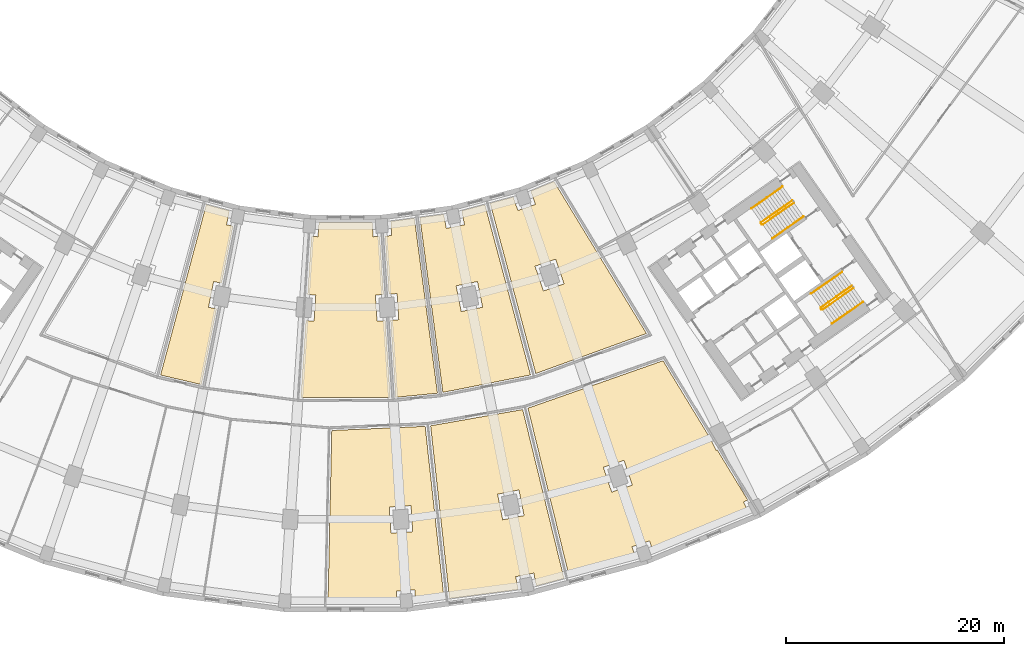
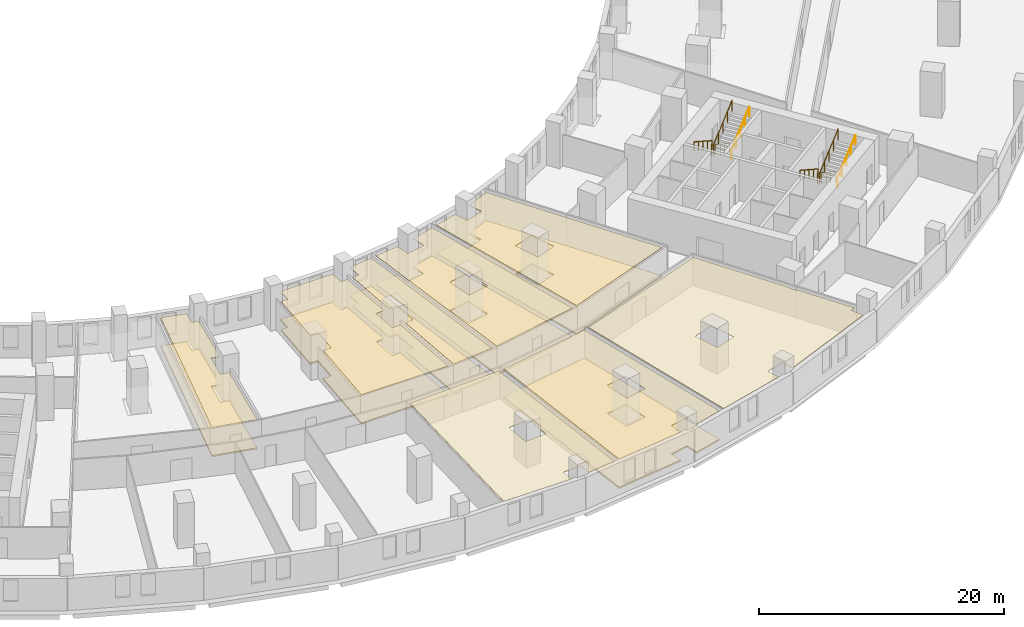
# One storey, part 18 of 20: 14 coverings, 8 railings.
"""IFC4 building model written with IfcOpenShell, lengths in metres."""

from ifc_helpers import new_model, si_unit, direction, frame, origin, origin_2d, place, context, subcontext, project, spatial, polyline, circle, outline, extrude, material, layer, layer_set, type_object, element, save


model = new_model("IFC4")

# Units and contexts
model_context = context("Model", 3, precision=1e-05, world=origin(), true_north=direction((0.0, 1.0)))
body_context = subcontext(model_context, "Body", "Model", "MODEL_VIEW")
ifc_project = project(units=[si_unit("LENGTHUNIT", "METRE"), si_unit("AREAUNIT", "SQUARE_METRE"), si_unit("VOLUMEUNIT", "CUBIC_METRE"), si_unit("PLANEANGLEUNIT", "RADIAN"), si_unit("MASSUNIT", "GRAM", prefix="KILO")], contexts=[model_context])

# Site, building, storey
site_placement = place(None, origin())
site = spatial("IfcSite", under=ifc_project, at=site_placement, CompositionType="ELEMENT")
building_placement = place(site_placement, origin())
building = spatial("IfcBuilding", under=site, at=building_placement, Name="Qamariyya Broadcast Tower", CompositionType="ELEMENT")
storey_placement = place(building_placement, frame((0.0, 0.0, 31.5)))
storey = spatial("IfcBuildingStorey", under=building, at=storey_placement, Name="L04", CompositionType="ELEMENT", Elevation=31.5)

# Coverings
ifc_material_1 = material(Name="Raised access floor")
ifc_layer_1 = layer(ifc_material_1, 0.14990234375)
ifc_layer_set_1 = layer_set([ifc_layer_1], Name="Raised access floor 150")
covering_type_1 = type_object("IfcCoveringType", Name="Raised access floor 150", PredefinedType="FLOORING", material=ifc_layer_set_1)
covering_1_placement = place(storey_placement, origin())
element("IfcCovering", 1, at=covering_1_placement, inside=storey, type_object=covering_type_1, Name="Flooring L04-F01", PredefinedType="FLOORING", context=body_context, shape_type="SweptSolid", body=[
    extrude(outline(polyline([(20.051025390625, -83.00390625), (17.512451171875, -83.684326171875), (17.27978515625, -82.514404296875), (15.612548828125, -82.845947265625), (15.84521484375, -84.015869140625), (9.541259765625, -84.845703125), (7.8056640625, -68.994384765625), (16.2587890625, -67.504150390625), (20.051025390625, -83.00390625)]), holes=[polyline([(13.953369140625, -75.274169921875), (14.421630859375, -77.628173828125), (16.383056640625, -77.23779296875), (15.9150390625, -74.884033203125), (13.953369140625, -75.274169921875)])]), origin(), (0.0, 0.0, 1.0), 0.14990234375),
])
covering_2_placement = place(storey_placement, origin())
element("IfcCovering", 2, at=covering_2_placement, inside=storey, type_object=covering_type_1, Name="Flooring L04-F03", PredefinedType="FLOORING", context=body_context, shape_type="SweptSolid", body=[
    extrude(outline(polyline([(-12.788330078125, -48.69287109375), (-10.665283203125, -49.26171875), (-10.919921875, -50.540771484375), (-10.331298828125, -50.65771484375), (-11.375, -55.905029296875), (-12.110595703125, -55.7587890625), (-12.578857421875, -58.112548828125), (-11.84326171875, -58.259033203125), (-13.226806640625, -65.21435546875), (-16.980712890625, -64.339111328125), (-12.788330078125, -48.69287109375)])), origin(), (0.0, 0.0, 1.0), 0.14990234375),
])
covering_3_placement = place(storey_placement, origin())
element("IfcCovering", 3, at=covering_3_placement, inside=storey, type_object=covering_type_1, Name="Flooring L04-F04", PredefinedType="FLOORING", context=body_context, shape_type="SweptSolid", body=[
    extrude(outline(polyline([(-3.638671875, -59.339111328125), (-2.890380859375, -59.38818359375), (-2.7333984375, -56.9931640625), (-3.481689453125, -56.944091796875), (-3.1318359375, -51.605712890625), (-2.533203125, -51.64501953125), (-2.44775390625, -50.343505859375), (2.44775390625, -50.343505859375), (2.533203125, -51.64501953125), (3.1318359375, -51.605712890625), (3.481689453125, -56.944091796875), (2.7333984375, -56.9931640625), (2.890380859375, -59.38818359375), (3.638671875, -59.339111328125), (4.10205078125, -66.406982421875), (-4.10205078125, -66.406982421875), (-3.638671875, -59.339111328125)])), origin(), (0.0, 0.0, 1.0), 0.14990234375),
])
covering_4_placement = place(storey_placement, origin())
element("IfcCovering", 4, at=covering_4_placement, inside=storey, type_object=covering_type_1, Name="Flooring L04-F05", PredefinedType="FLOORING", context=body_context, shape_type="SweptSolid", body=[
    extrude(outline(polyline([(4.1376953125, -59.306396484375), (4.885986328125, -59.25732421875), (4.72900390625, -56.862548828125), (3.980712890625, -56.91162109375), (3.630859375, -51.572998046875), (4.2294921875, -51.53369140625), (4.144287109375, -50.232177734375), (6.3232421875, -49.9453125), (8.4375, -66.005126953125), (4.6015625, -66.3828125), (4.1376953125, -59.306396484375)])), origin(), (0.0, 0.0, 1.0), 0.14990234375),
])
covering_5_placement = place(storey_placement, origin())
element("IfcCovering", 5, at=covering_5_placement, inside=storey, type_object=covering_type_1, Name="Flooring L04-F06", PredefinedType="FLOORING", context=body_context, shape_type="SweptSolid", body=[
    extrude(outline(polyline([(6.819091796875, -49.880126953125), (8.998046875, -49.59326171875), (9.25244140625, -50.872314453125), (10.919921875, -50.540771484375), (10.665283203125, -49.26171875), (12.788330078125, -48.69287109375), (16.978515625, -64.330810546875), (8.93212890625, -65.93115234375), (6.819091796875, -49.880126953125)]), holes=[polyline([(10.617431640625, -58.502685546875), (12.578857421875, -58.112548828125), (12.110595703125, -55.7587890625), (10.149169921875, -56.14892578125), (10.617431640625, -58.502685546875)])]), origin(), (0.0, 0.0, 1.0), 0.14990234375),
])
covering_6_placement = place(storey_placement, origin())
element("IfcCovering", 6, at=covering_6_placement, inside=storey, type_object=covering_type_1, Name="Flooring L04-F07", PredefinedType="FLOORING", context=body_context, shape_type="SweptSolid", body=[
    extrude(outline(polyline([(17.460205078125, -64.196044921875), (13.271240234375, -48.5634765625), (15.394287109375, -47.99462890625), (15.8134765625, -49.2294921875), (17.42333984375, -48.68310546875), (17.004150390625, -47.447998046875), (19.132080078125, -46.566650390625), (27.6181640625, -60.521728515625), (17.460205078125, -64.196044921875)]), holes=[polyline([(17.39111328125, -54.34375), (18.16259765625, -56.616455078125), (20.056396484375, -55.9736328125), (19.28515625, -53.700927734375), (17.39111328125, -54.34375)])]), origin(), (0.0, 0.0, 1.0), 0.14990234375),
])

# Railings
ifc_material_2 = material(Name="Painted steel", Category="steel")
railing_type_1 = type_object("IfcRailingType", Name="Stair guard", PredefinedType="GUARDRAIL", material=ifc_material_2)
railing_1_placement = place(storey_placement, frame((41.003173828125, -48.320068359375, 0.173095703125)))
element("IfcRailing", 7, at=railing_1_placement, inside=storey, type_object=railing_type_1, Name="L04 ST-E2 stair guard 1", PredefinedType="GUARDRAIL", context=body_context, shape_type="SweptSolid", body=[
    extrude(circle(Radius=0.02392578125, at=origin_2d()), frame((0.0, 0.0, 1.076171875), z_axis=(-0.703392637411, -0.492543525477, 0.512483827206), x_axis=(0.573594173421, -0.819139624372, 0.0)), (0.0, 0.0, 1.0), 4.052734375),
    extrude(circle(Radius=0.02392578125, at=origin_2d()), frame((-2.8505859375, -1.99609375, 3.15283203125), z_axis=(-0.172799478008, -0.984957024646, 0.0), x_axis=(0.984957024646, -0.172799478008, 0.0)), (0.0, 0.0, 1.0), 0.070556640625),
    extrude(circle(Radius=0.02392578125, at=origin_2d()), frame((-2.86279296875, -2.065673828125, 3.15283203125), z_axis=(0.573353020881, -0.819308436089, 0.0), x_axis=(0.819308436089, 0.573353020881, 0.0)), (0.0, 0.0, 1.0), 0.14990234375),
    extrude(circle(Radius=0.02099609375, at=origin_2d()), origin(), (0.0, 0.0, 1.0), 1.052001953125),
    extrude(circle(Radius=0.02099609375, at=origin_2d()), frame((-0.712646484375, -0.4990234375, 0.519287109375)), (0.0, 0.0, 1.0), 1.052001953125),
    extrude(circle(Radius=0.02099609375, at=origin_2d()), frame((-1.42529296875, -0.998046875, 1.03857421875)), (0.0, 0.0, 1.0), 1.052001953125),
    extrude(circle(Radius=0.02099609375, at=origin_2d()), frame((-2.137939453125, -1.4970703125, 1.5576171875)), (0.0, 0.0, 1.0), 1.052001953125),
    extrude(circle(Radius=0.02099609375, at=origin_2d()), frame((-2.8505859375, -1.99609375, 2.076904296875)), (0.0, 0.0, 1.0), 1.052001953125),
    extrude(circle(Radius=0.02099609375, at=origin_2d()), frame((-2.86279296875, -2.065673828125, 2.076904296875)), (0.0, 0.0, 1.0), 1.052001953125),
    extrude(circle(Radius=0.02099609375, at=origin_2d()), frame((-2.77685546875, -2.1884765625, 2.076904296875)), (0.0, 0.0, 1.0), 1.052001953125),
])
railing_2_placement = place(storey_placement, frame((38.2958984375, -50.52099609375, 2.423095703125)))
element("IfcRailing", 8, at=railing_2_placement, inside=storey, type_object=railing_type_1, Name="L04 ST-E2 stair guard 2", PredefinedType="GUARDRAIL", context=body_context, shape_type="SweptSolid", body=[
    extrude(circle(Radius=0.02392578125, at=origin_2d()), frame((0.0, 0.0, 1.076171875), z_axis=(0.703423072377, 0.49252265477, 0.512462111562), x_axis=(-0.573561211868, 0.819162704376, 0.0)), (0.0, 0.0, 1.0), 4.052734375),
    extrude(circle(Radius=0.02099609375, at=origin_2d()), origin(), (0.0, 0.0, 1.0), 1.052001953125),
    extrude(circle(Radius=0.02099609375, at=origin_2d()), frame((0.712646484375, 0.4990234375, 0.519287109375)), (0.0, 0.0, 1.0), 1.052001953125),
    extrude(circle(Radius=0.02099609375, at=origin_2d()), frame((1.42529296875, 0.998046875, 1.03857421875)), (0.0, 0.0, 1.0), 1.052001953125),
    extrude(circle(Radius=0.02099609375, at=origin_2d()), frame((2.13818359375, 1.4970703125, 1.5576171875)), (0.0, 0.0, 1.0), 1.052001953125),
    extrude(circle(Radius=0.02099609375, at=origin_2d()), frame((2.850830078125, 1.99609375, 2.076904296875)), (0.0, 0.0, 1.0), 1.052001953125),
])
railing_3_placement = place(storey_placement, frame((46.48095703125, -56.14306640625, 0.173095703125)))
element("IfcRailing", 9, at=railing_3_placement, inside=storey, type_object=railing_type_1, Name="L04 ST-E1 stair guard 1", PredefinedType="GUARDRAIL", context=body_context, shape_type="SweptSolid", body=[
    extrude(circle(Radius=0.02392578125, at=origin_2d()), frame((0.0, 0.0, 1.076171875), z_axis=(-0.703413508203, -0.492497895646, 0.512499033426), x_axis=(0.57354709673, -0.81917258733, 0.0)), (0.0, 0.0, 1.0), 4.052490234375),
    extrude(circle(Radius=0.02392578125, at=origin_2d()), frame((-2.8505859375, -1.995849609375, 3.15283203125), z_axis=(-0.175552359694, -0.984470095537, 0.0), x_axis=(0.984470095537, -0.175552359694, 0.0)), (0.0, 0.0, 1.0), 0.071044921875),
    extrude(circle(Radius=0.02392578125, at=origin_2d()), frame((-2.863037109375, -2.065673828125, 3.15283203125), z_axis=(0.574444878118, -0.818543268254, 0.0), x_axis=(0.818543268254, 0.574444878118, 0.0)), (0.0, 0.0, 1.0), 0.150146484375),
    extrude(circle(Radius=0.02099609375, at=origin_2d()), origin(), (0.0, 0.0, 1.0), 1.052001953125),
    extrude(circle(Radius=0.02099609375, at=origin_2d()), frame((-0.712646484375, -0.4990234375, 0.519287109375)), (0.0, 0.0, 1.0), 1.052001953125),
    extrude(circle(Radius=0.02099609375, at=origin_2d()), frame((-1.42529296875, -0.998046875, 1.03857421875)), (0.0, 0.0, 1.0), 1.052001953125),
    extrude(circle(Radius=0.02099609375, at=origin_2d()), frame((-2.137939453125, -1.496826171875, 1.5576171875)), (0.0, 0.0, 1.0), 1.052001953125),
    extrude(circle(Radius=0.02099609375, at=origin_2d()), frame((-2.8505859375, -1.995849609375, 2.076904296875)), (0.0, 0.0, 1.0), 1.052001953125),
    extrude(circle(Radius=0.02099609375, at=origin_2d()), frame((-2.863037109375, -2.065673828125, 2.076904296875)), (0.0, 0.0, 1.0), 1.052001953125),
    extrude(circle(Radius=0.02099609375, at=origin_2d()), frame((-2.77685546875, -2.1884765625, 2.076904296875)), (0.0, 0.0, 1.0), 1.052001953125),
])
railing_4_placement = place(storey_placement, frame((43.773681640625, -58.34375, 2.423095703125)))
element("IfcRailing", 10, at=railing_4_placement, inside=storey, type_object=railing_type_1, Name="L04 ST-E1 stair guard 2", PredefinedType="GUARDRAIL", context=body_context, shape_type="SweptSolid", body=[
    extrude(circle(Radius=0.02392578125, at=origin_2d()), frame((0.0, 0.0, 1.076171875), z_axis=(0.703392637411, 0.492543525477, 0.512483827206), x_axis=(-0.573594173421, 0.819139624372, 0.0)), (0.0, 0.0, 1.0), 4.052734375),
    extrude(circle(Radius=0.02099609375, at=origin_2d()), origin(), (0.0, 0.0, 1.0), 1.052001953125),
    extrude(circle(Radius=0.02099609375, at=origin_2d()), frame((0.712646484375, 0.4990234375, 0.519287109375)), (0.0, 0.0, 1.0), 1.052001953125),
    extrude(circle(Radius=0.02099609375, at=origin_2d()), frame((1.42529296875, 0.998046875, 1.03857421875)), (0.0, 0.0, 1.0), 1.052001953125),
    extrude(circle(Radius=0.02099609375, at=origin_2d()), frame((2.137939453125, 1.4970703125, 1.5576171875)), (0.0, 0.0, 1.0), 1.052001953125),
    extrude(circle(Radius=0.02099609375, at=origin_2d()), frame((2.8505859375, 1.99609375, 2.076904296875)), (0.0, 0.0, 1.0), 1.052001953125),
])
ifc_material_3 = material(Name="Stainless steel", Category="steel")
railing_type_2 = type_object("IfcRailingType", Name="Stair handrail", PredefinedType="HANDRAIL", material=ifc_material_3)
railing_5_placement = place(storey_placement, frame((40.1142578125, -47.05029296875, 0.173095703125)))
element("IfcRailing", 11, at=railing_5_placement, inside=storey, type_object=railing_type_2, Name="L04 ST-E2 stair handrail 1", PredefinedType="HANDRAIL", context=body_context, shape_type="SweptSolid", body=[
    extrude(circle(Radius=0.02392578125, at=origin_2d()), frame((0.0, 0.0, 0.8759765625), z_axis=(-0.703392637411, -0.492543525477, 0.512483827206), x_axis=(0.573594173421, -0.819139624372, 0.0)), (0.0, 0.0, 1.0), 4.052734375),
    extrude(circle(Radius=0.02099609375, at=origin_2d()), origin(), (0.0, 0.0, 1.0), 0.851806640625),
    extrude(circle(Radius=0.02099609375, at=origin_2d()), frame((-0.712646484375, -0.4990234375, 0.519287109375)), (0.0, 0.0, 1.0), 0.851806640625),
    extrude(circle(Radius=0.02099609375, at=origin_2d()), frame((-1.42529296875, -0.998046875, 1.03857421875)), (0.0, 0.0, 1.0), 0.851806640625),
    extrude(circle(Radius=0.02099609375, at=origin_2d()), frame((-2.137939453125, -1.4970703125, 1.5576171875)), (0.0, 0.0, 1.0), 0.851806640625),
    extrude(circle(Radius=0.02099609375, at=origin_2d()), frame((-2.8505859375, -1.99609375, 2.076904296875)), (0.0, 0.0, 1.0), 0.851806640625),
])
railing_6_placement = place(storey_placement, frame((39.18505859375, -51.79052734375, 2.423095703125)))
element("IfcRailing", 12, at=railing_6_placement, inside=storey, type_object=railing_type_2, Name="L04 ST-E2 stair handrail 2", PredefinedType="HANDRAIL", context=body_context, shape_type="SweptSolid", body=[
    extrude(circle(Radius=0.02392578125, at=origin_2d()), frame((0.0, 0.0, 0.8759765625), z_axis=(0.703392637411, 0.492543525477, 0.512483827206), x_axis=(-0.573594173421, 0.819139624372, 0.0)), (0.0, 0.0, 1.0), 4.052734375),
    extrude(circle(Radius=0.02099609375, at=origin_2d()), origin(), (0.0, 0.0, 1.0), 0.851806640625),
    extrude(circle(Radius=0.02099609375, at=origin_2d()), frame((0.712646484375, 0.4990234375, 0.519287109375)), (0.0, 0.0, 1.0), 0.851806640625),
    extrude(circle(Radius=0.02099609375, at=origin_2d()), frame((1.42529296875, 0.998046875, 1.03857421875)), (0.0, 0.0, 1.0), 0.851806640625),
    extrude(circle(Radius=0.02099609375, at=origin_2d()), frame((2.137939453125, 1.4970703125, 1.5576171875)), (0.0, 0.0, 1.0), 0.851806640625),
    extrude(circle(Radius=0.02099609375, at=origin_2d()), frame((2.8505859375, 1.99609375, 2.076904296875)), (0.0, 0.0, 1.0), 0.851806640625),
])
railing_7_placement = place(storey_placement, frame((45.591796875, -54.873291015625, 0.173095703125)))
element("IfcRailing", 13, at=railing_7_placement, inside=storey, type_object=railing_type_2, Name="L04 ST-E1 stair handrail 1", PredefinedType="HANDRAIL", context=body_context, shape_type="SweptSolid", body=[
    extrude(circle(Radius=0.02392578125, at=origin_2d()), frame((0.0, 0.0, 0.8759765625), z_axis=(-0.703392637411, -0.492543525477, 0.512483827206), x_axis=(0.573594173421, -0.819139624372, 0.0)), (0.0, 0.0, 1.0), 4.052734375),
    extrude(circle(Radius=0.02099609375, at=origin_2d()), origin(), (0.0, 0.0, 1.0), 0.851806640625),
    extrude(circle(Radius=0.02099609375, at=origin_2d()), frame((-0.712646484375, -0.4990234375, 0.519287109375)), (0.0, 0.0, 1.0), 0.851806640625),
    extrude(circle(Radius=0.02099609375, at=origin_2d()), frame((-1.42529296875, -0.998046875, 1.03857421875)), (0.0, 0.0, 1.0), 0.851806640625),
    extrude(circle(Radius=0.02099609375, at=origin_2d()), frame((-2.137939453125, -1.4970703125, 1.5576171875)), (0.0, 0.0, 1.0), 0.851806640625),
    extrude(circle(Radius=0.02099609375, at=origin_2d()), frame((-2.8505859375, -1.99609375, 2.076904296875)), (0.0, 0.0, 1.0), 0.851806640625),
])
railing_8_placement = place(storey_placement, frame((44.66259765625, -59.613525390625, 2.423095703125)))
element("IfcRailing", 14, at=railing_8_placement, inside=storey, type_object=railing_type_2, Name="L04 ST-E1 stair handrail 2", PredefinedType="HANDRAIL", context=body_context, shape_type="SweptSolid", body=[
    extrude(circle(Radius=0.02392578125, at=origin_2d()), frame((0.0, 0.0, 0.8759765625), z_axis=(0.703423072377, 0.49252265477, 0.512462111562), x_axis=(-0.573561211868, 0.819162704376, 0.0)), (0.0, 0.0, 1.0), 4.052734375),
    extrude(circle(Radius=0.02099609375, at=origin_2d()), origin(), (0.0, 0.0, 1.0), 0.851806640625),
    extrude(circle(Radius=0.02099609375, at=origin_2d()), frame((0.712646484375, 0.4990234375, 0.519287109375)), (0.0, 0.0, 1.0), 0.851806640625),
    extrude(circle(Radius=0.02099609375, at=origin_2d()), frame((1.42529296875, 0.998046875, 1.03857421875)), (0.0, 0.0, 1.0), 0.851806640625),
    extrude(circle(Radius=0.02099609375, at=origin_2d()), frame((2.13818359375, 1.4970703125, 1.5576171875)), (0.0, 0.0, 1.0), 0.851806640625),
    extrude(circle(Radius=0.02099609375, at=origin_2d()), frame((2.850830078125, 1.99609375, 2.076904296875)), (0.0, 0.0, 1.0), 0.851806640625),
])

# Coverings
ifc_material_4 = material(Name="Perforated plasterboard ceiling")
ifc_layer_2 = layer(ifc_material_4, 0.06005859375)
ifc_layer_set_2 = layer_set([ifc_layer_2], Name="Suspended acoustic ceiling 60")
covering_type_2 = type_object("IfcCoveringType", Name="Suspended acoustic ceiling 60", PredefinedType="CEILING", material=ifc_layer_set_2)
covering_7_placement = place(storey_placement, frame((0.0, 0.0, 2.889892578125)))
element("IfcCovering", 15, at=covering_7_placement, inside=storey, type_object=covering_type_2, Name="Ceiling L04-C01", PredefinedType="CEILING", context=body_context, shape_type="SweptSolid", body=[
    extrude(outline(polyline([(9.04541015625, -84.9111328125), (6.439697265625, -85.254150390625), (6.361572265625, -84.06396484375), (4.665283203125, -84.175048828125), (4.743408203125, -85.365234375), (-1.614990234375, -85.365234375), (-1.2666015625, -69.423095703125), (7.30859375, -69.048828125), (9.04541015625, -84.9111328125)]), holes=[polyline([(4.165771484375, -78.846435546875), (6.161376953125, -78.715576171875), (6.00439453125, -76.32080078125), (4.0087890625, -76.451416015625), (4.165771484375, -78.846435546875)])]), origin(), (0.0, 0.0, 1.0), 0.06005859375),
])
covering_8_placement = place(storey_placement, frame((0.0, 0.0, 2.889892578125)))
element("IfcCovering", 16, at=covering_8_placement, inside=storey, type_object=covering_type_2, Name="Ceiling L04-C02", PredefinedType="CEILING", context=body_context, shape_type="SweptSolid", body=[
    extrude(outline(polyline([(20.051025390625, -83.00390625), (17.512451171875, -83.684326171875), (17.27978515625, -82.514404296875), (15.612548828125, -82.845947265625), (15.84521484375, -84.015869140625), (9.541259765625, -84.845703125), (7.8056640625, -68.994384765625), (16.2587890625, -67.504150390625), (20.051025390625, -83.00390625)]), holes=[polyline([(13.953369140625, -75.274169921875), (14.421630859375, -77.628173828125), (16.383056640625, -77.23779296875), (15.9150390625, -74.884033203125), (13.953369140625, -75.274169921875)])]), origin(), (0.0, 0.0, 1.0), 0.06005859375),
])
covering_9_placement = place(storey_placement, frame((0.0, 0.0, 2.889892578125)))
element("IfcCovering", 17, at=covering_9_placement, inside=storey, type_object=covering_type_2, Name="Ceiling L04-C03", PredefinedType="CEILING", context=body_context, shape_type="SweptSolid", body=[
    extrude(outline(polyline([(33.504638671875, -70.20166015625), (34.021728515625, -71.25048828125), (34.114501953125, -71.20458984375), (36.9052734375, -75.793701171875), (36.522705078125, -75.982421875), (37.050048828125, -77.052001953125), (28.28564453125, -80.682373046875), (27.90234375, -79.552978515625), (26.29248046875, -80.099365234375), (26.67578125, -81.22900390625), (20.5341796875, -82.87451171875), (16.74267578125, -67.3779296875), (29.13720703125, -63.01953125), (33.504638671875, -70.20166015625)]), holes=[polyline([(24.4306640625, -75.08154296875), (26.324462890625, -74.438720703125), (25.55322265625, -72.166015625), (23.6591796875, -72.808837890625), (24.4306640625, -75.08154296875)])]), origin(), (0.0, 0.0, 1.0), 0.06005859375),
])
covering_10_placement = place(storey_placement, frame((0.0, 0.0, 2.889892578125)))
element("IfcCovering", 18, at=covering_10_placement, inside=storey, type_object=covering_type_2, Name="Ceiling L04-C05", PredefinedType="CEILING", context=body_context, shape_type="SweptSolid", body=[
    extrude(outline(polyline([(-12.788330078125, -48.69287109375), (-10.665283203125, -49.26171875), (-10.919921875, -50.540771484375), (-10.331298828125, -50.65771484375), (-11.375, -55.905029296875), (-12.110595703125, -55.7587890625), (-12.578857421875, -58.112548828125), (-11.84326171875, -58.259033203125), (-13.226806640625, -65.21435546875), (-16.980712890625, -64.339111328125), (-12.788330078125, -48.69287109375)])), origin(), (0.0, 0.0, 1.0), 0.06005859375),
])
covering_11_placement = place(storey_placement, frame((0.0, 0.0, 2.889892578125)))
element("IfcCovering", 19, at=covering_11_placement, inside=storey, type_object=covering_type_2, Name="Ceiling L04-C06", PredefinedType="CEILING", context=body_context, shape_type="SweptSolid", body=[
    extrude(outline(polyline([(-3.638671875, -59.339111328125), (-2.890380859375, -59.38818359375), (-2.7333984375, -56.9931640625), (-3.481689453125, -56.944091796875), (-3.1318359375, -51.605712890625), (-2.533203125, -51.64501953125), (-2.44775390625, -50.343505859375), (2.44775390625, -50.343505859375), (2.533203125, -51.64501953125), (3.1318359375, -51.605712890625), (3.481689453125, -56.944091796875), (2.7333984375, -56.9931640625), (2.890380859375, -59.38818359375), (3.638671875, -59.339111328125), (4.10205078125, -66.406982421875), (-4.10205078125, -66.406982421875), (-3.638671875, -59.339111328125)])), origin(), (0.0, 0.0, 1.0), 0.06005859375),
])
covering_12_placement = place(storey_placement, frame((0.0, 0.0, 2.889892578125)))
element("IfcCovering", 20, at=covering_12_placement, inside=storey, type_object=covering_type_2, Name="Ceiling L04-C07", PredefinedType="CEILING", context=body_context, shape_type="SweptSolid", body=[
    extrude(outline(polyline([(4.1376953125, -59.306396484375), (4.885986328125, -59.25732421875), (4.72900390625, -56.862548828125), (3.980712890625, -56.91162109375), (3.630859375, -51.572998046875), (4.2294921875, -51.53369140625), (4.144287109375, -50.232177734375), (6.3232421875, -49.9453125), (8.4375, -66.005126953125), (4.6015625, -66.3828125), (4.1376953125, -59.306396484375)])), origin(), (0.0, 0.0, 1.0), 0.06005859375),
])
covering_13_placement = place(storey_placement, frame((0.0, 0.0, 2.889892578125)))
element("IfcCovering", 21, at=covering_13_placement, inside=storey, type_object=covering_type_2, Name="Ceiling L04-C08", PredefinedType="CEILING", context=body_context, shape_type="SweptSolid", body=[
    extrude(outline(polyline([(6.819091796875, -49.880126953125), (8.998046875, -49.59326171875), (9.25244140625, -50.872314453125), (10.919921875, -50.540771484375), (10.665283203125, -49.26171875), (12.788330078125, -48.69287109375), (16.978515625, -64.330810546875), (8.93212890625, -65.93115234375), (6.819091796875, -49.880126953125)]), holes=[polyline([(10.617431640625, -58.502685546875), (12.578857421875, -58.112548828125), (12.110595703125, -55.7587890625), (10.149169921875, -56.14892578125), (10.617431640625, -58.502685546875)])]), origin(), (0.0, 0.0, 1.0), 0.06005859375),
])
covering_14_placement = place(storey_placement, frame((0.0, 0.0, 2.889892578125)))
element("IfcCovering", 22, at=covering_14_placement, inside=storey, type_object=covering_type_2, Name="Ceiling L04-C09", PredefinedType="CEILING", context=body_context, shape_type="SweptSolid", body=[
    extrude(outline(polyline([(17.460205078125, -64.196044921875), (13.271240234375, -48.5634765625), (15.394287109375, -47.99462890625), (15.8134765625, -49.2294921875), (17.42333984375, -48.68310546875), (17.004150390625, -47.447998046875), (19.132080078125, -46.566650390625), (27.6181640625, -60.521728515625), (17.460205078125, -64.196044921875)]), holes=[polyline([(17.39111328125, -54.34375), (18.16259765625, -56.616455078125), (20.056396484375, -55.9736328125), (19.28515625, -53.700927734375), (17.39111328125, -54.34375)])]), origin(), (0.0, 0.0, 1.0), 0.06005859375),
])

save(model, "model.ifc")
